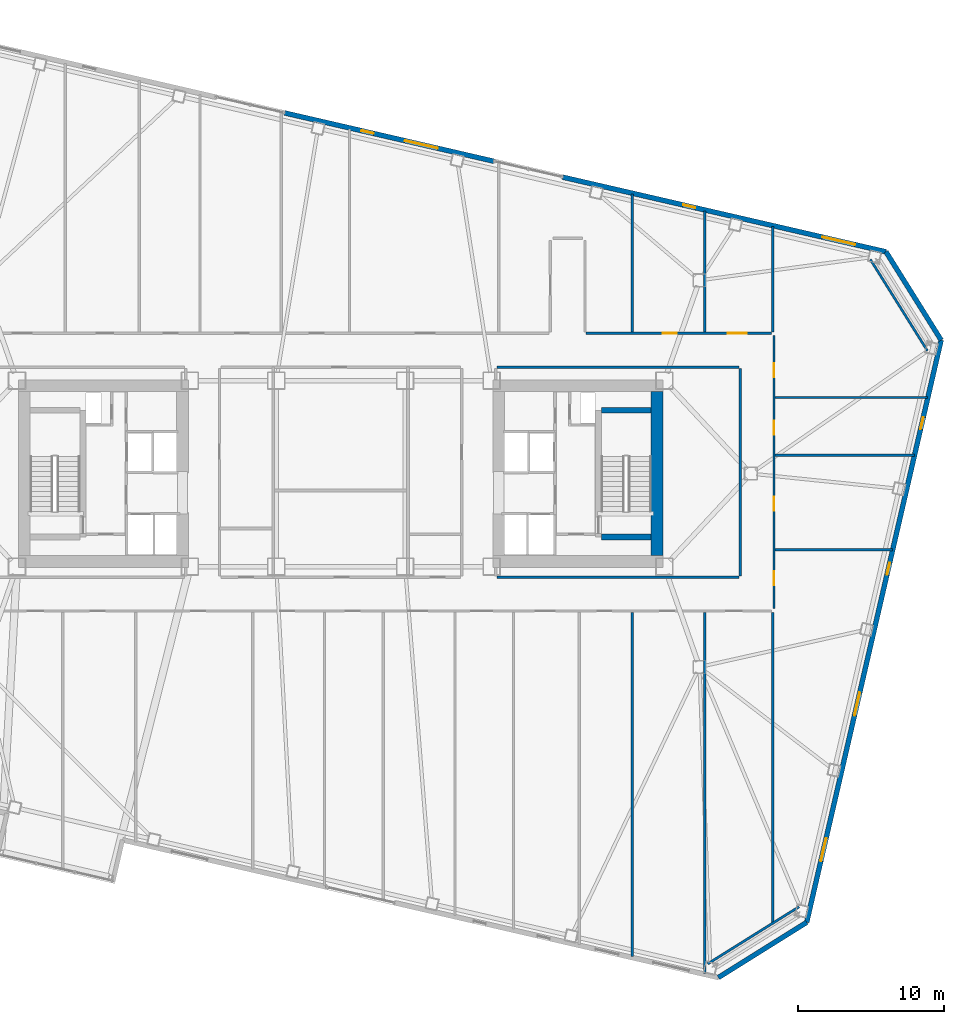
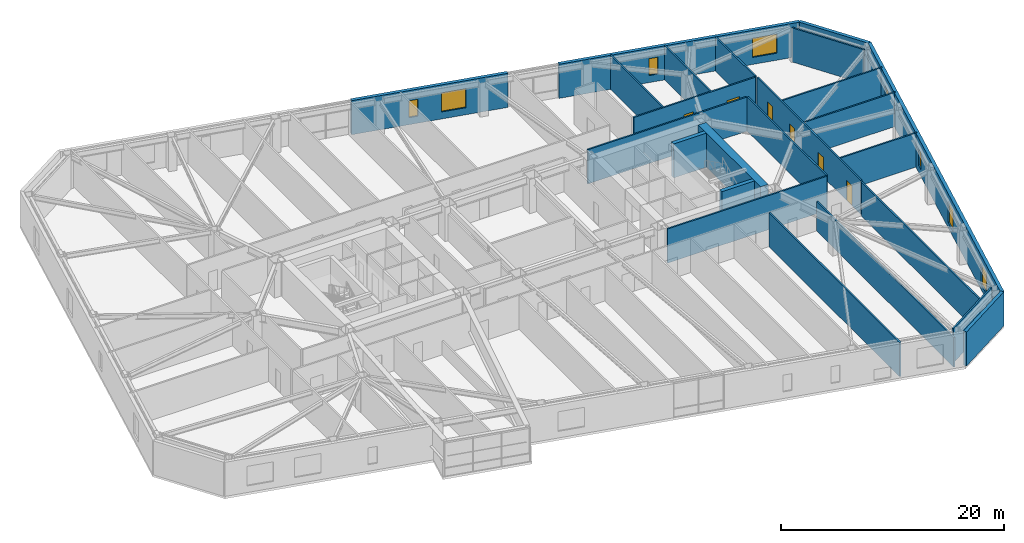
# One storey, part 15 of 21: 24 walls, 8 windows, 6 doors, 14 openings.
"""IFC4 building model written with IfcOpenShell, lengths in metres."""

from ifc_helpers import new_model, si_unit, direction, frame, frame_2d, origin, place, context, subcontext, project, spatial, rectangle, extrude, material, layer, layer_set, type_object, element, fill, save


model = new_model("IFC4")

# Units and contexts
model_context = context("Model", 3, precision=1e-05, world=origin(), true_north=direction((0.0, 1.0)))
body_context = subcontext(model_context, "Body", "Model", "MODEL_VIEW")
ifc_project = project(units=[si_unit("LENGTHUNIT", "METRE"), si_unit("AREAUNIT", "SQUARE_METRE"), si_unit("VOLUMEUNIT", "CUBIC_METRE"), si_unit("PLANEANGLEUNIT", "RADIAN"), si_unit("MASSUNIT", "GRAM", prefix="KILO")], contexts=[model_context])

# Site, building, storey
site_placement = place(None, origin())
site = spatial("IfcSite", under=ifc_project, at=site_placement, CompositionType="ELEMENT")
building_placement = place(site_placement, origin())
building = spatial("IfcBuilding", under=site, at=building_placement, Name="Tavrogorsk Clinical Tower", CompositionType="ELEMENT")
storey_placement = place(building_placement, frame((0.0, 0.0, 43.39990234375)))
storey = spatial("IfcBuildingStorey", under=building, at=storey_placement, Name="L08", CompositionType="ELEMENT", Elevation=43.39990234375)

# Walls
ifc_material_1 = material(Name="Lightweight concrete blockwork B15", Category="masonry")
ifc_layer_1 = layer(ifc_material_1, 0.159912109375)
ifc_layer_set_1 = layer_set([ifc_layer_1], Name="Lightweight concrete blockwork B15")
wall_type_1 = type_object("IfcWallType", Name="PartitionWall_160", PredefinedType="PARTITIONING", material=ifc_layer_set_1)
for number, where, z_axis, x_axis, name in (
    (1, (25.0595703125, -33.46826171875, 0.0), (0.0, 0.0, 1.0), (0.848043064089, 0.529927317139, 0.0), "L08 Corner Exoskeleton Brace Furring Wall 1"),
    (2, (40.059814453125, 8.389404296875, 0.0), (0.0, 0.0, 1.0), (-0.529927317139, 0.848043064089, 0.0), "L08 Corner Exoskeleton Brace Furring Wall 2"),
):
    element("IfcWall", number, at=place(storey_placement, frame(where, z_axis=z_axis, x_axis=x_axis)), inside=storey, type_object=wall_type_1, Name=name, PredefinedType="PARTITIONING", context=body_context, shape_type="SweptSolid", body=[
        extrude(rectangle(XDim=7.353759765625, YDim=0.159912109375, at=frame_2d((3.6767578125, 0.0))), origin(), (0.0, 0.0, 1.0), 3.739990234375),
    ])

# Wall, openings, doors
wall_1_placement = place(storey_placement, frame((16.764892578125, 9.580078125, 0.0), z_axis=(0.0, 0.0, 1.0), x_axis=(1.0, 0.0, 0.0)))
wall_1 = element("IfcWall", 3, at=wall_1_placement, inside=storey, type_object=wall_type_1, Name="L08 Corridor Partition 06", PredefinedType="PARTITIONING", context=body_context, shape_type="SweptSolid", body=[
    extrude(rectangle(XDim=12.650146484375, YDim=0.159912109375, at=frame_2d((6.3251953125, 0.0))), origin(), (0.0, 0.0, 1.0), 3.739990234375),
])
opening_1_placement = place(wall_1_placement, frame((5.219970703125, 0.0, 0.0)))
opening_1 = element("IfcOpeningElement", 4, at=opening_1_placement, cuts=wall_1, Name="Opening ID-02", PredefinedType="OPENING", context=body_context, shape_type="SweptSolid", body=[
    extrude(rectangle(XDim=0.949951171875, YDim=2.199951171875, at=frame_2d((0.47509765625, 1.10009765625))), frame((0.0, 0.08984375, 0.0), z_axis=(0.0, -1.0, 0.0), x_axis=(1.0, 0.0, 0.0)), (0.0, 0.0, 1.0), 0.179931640625),
])
opening_2_placement = place(wall_1_placement, frame((9.65087890625, 0.0, 0.0)))
opening_2 = element("IfcOpeningElement", 5, at=opening_2_placement, cuts=wall_1, Name="Opening ID-01", PredefinedType="OPENING", context=body_context, shape_type="SweptSolid", body=[
    extrude(rectangle(XDim=1.300048828125, YDim=2.199951171875, at=frame_2d((0.64990234375, 1.10009765625))), frame((0.0, 0.08984375, 0.0), z_axis=(0.0, -1.0, 0.0), x_axis=(1.0, 0.0, 0.0)), (0.0, 0.0, 1.0), 0.179931640625),
])
ifc_material_2 = material(Name="Laminated timber leaf on aluminium frame", Category="wood")
door_type_1 = type_object("IfcDoorType", Name="InteriorDoor_ID02_950", OperationType="NOTDEFINED", PredefinedType="DOOR", material=ifc_material_2)
door_1_placement = place(opening_1_placement, origin())
door_1 = element("IfcDoor", 6, at=door_1_placement, inside=storey, type_object=door_type_1, Name="L08 North Multidisciplinary Case Room 07 Door", OperationType="SINGLE_SWING_LEFT", OverallHeight=2.199951171875, OverallWidth=0.949951171875, PredefinedType="DOOR", context=body_context, shape_type="SweptSolid", body=[
    extrude(rectangle(XDim=0.949951171875, YDim=2.199951171875, at=frame_2d((0.47509765625, 1.10009765625))), frame((0.0, 0.02490234375, 0.0), z_axis=(0.0, -1.0, 0.0), x_axis=(1.0, 0.0, 0.0)), (0.0, 0.0, 1.0), 0.050048828125),
])
fill(opening_1, door_1)
ifc_material_3 = material(Name="Antibacterial HPL medical leaf on aluminium frame", Category="aluminium")
door_type_2 = type_object("IfcDoorType", Name="WardBedDoor_ID01_1300", OperationType="NOTDEFINED", PredefinedType="DOOR", material=ifc_material_3)
door_2_placement = place(opening_2_placement, origin())
door_2 = element("IfcDoor", 7, at=door_2_placement, inside=storey, type_object=door_type_2, Name="L08 North Inpatient Clinical Ward 08 Door", OperationType="SINGLE_SWING_RIGHT", OverallHeight=2.199951171875, OverallWidth=1.300048828125, PredefinedType="DOOR", context=body_context, shape_type="SweptSolid", body=[
    extrude(rectangle(XDim=1.300048828125, YDim=2.199951171875, at=frame_2d((0.64990234375, 1.10009765625))), frame((0.0, 0.02490234375, 0.0), z_axis=(0.0, -1.0, 0.0), x_axis=(1.0, 0.0, 0.0)), (0.0, 0.0, 1.0), 0.050048828125),
])
fill(opening_2, door_2)

wall_2_placement = place(storey_placement, frame((29.580078125, 9.4150390625, 0.0), z_axis=(0.0, 0.0, 1.0), x_axis=(0.0, -1.0, 0.0)))
wall_2 = element("IfcWall", 8, at=wall_2_placement, inside=storey, type_object=wall_type_1, Name="L08 Corridor Partition 07", PredefinedType="PARTITIONING", context=body_context, shape_type="SweptSolid", body=[
    extrude(rectangle(XDim=18.630126953125, YDim=0.159912109375, at=frame_2d((9.31494140625, 0.0))), origin(), (0.0, 0.0, 1.0), 3.739990234375),
])
opening_3_placement = place(wall_2_placement, frame((16.080810546875, 0.0, 0.0)))
opening_3 = element("IfcOpeningElement", 9, at=opening_3_placement, cuts=wall_2, Name="Opening ID-02", PredefinedType="OPENING", context=body_context, shape_type="SweptSolid", body=[
    extrude(rectangle(XDim=0.949951171875, YDim=2.199951171875, at=frame_2d((0.47509765625, 1.10009765625))), frame((0.0, 0.08984375, 0.0), z_axis=(0.0, -1.0, 0.0), x_axis=(1.0, 0.0, 0.0)), (0.0, 0.0, 1.0), 0.179931640625),
])
opening_4_placement = place(wall_2_placement, frame((11.0, 0.0, 0.0)))
opening_4 = element("IfcOpeningElement", 10, at=opening_4_placement, cuts=wall_2, Name="Opening ID-02", PredefinedType="OPENING", context=body_context, shape_type="SweptSolid", body=[
    extrude(rectangle(XDim=0.949951171875, YDim=2.199951171875, at=frame_2d((0.47509765625, 1.10009765625))), frame((0.0, 0.08984375, 0.0), z_axis=(0.0, -1.0, 0.0), x_axis=(1.0, 0.0, 0.0)), (0.0, 0.0, 1.0), 0.179931640625),
])
opening_5_placement = place(wall_2_placement, frame((5.800048828125, 0.0, 0.0)))
opening_5 = element("IfcOpeningElement", 11, at=opening_5_placement, cuts=wall_2, Name="Opening ID-02", PredefinedType="OPENING", context=body_context, shape_type="SweptSolid", body=[
    extrude(rectangle(XDim=0.949951171875, YDim=2.199951171875, at=frame_2d((0.47509765625, 1.10009765625))), frame((0.0, 0.08984375, 0.0), z_axis=(0.0, -1.0, 0.0), x_axis=(1.0, 0.0, 0.0)), (0.0, 0.0, 1.0), 0.179931640625),
])
opening_6_placement = place(wall_2_placement, frame((1.869140625, 0.0, 0.0)))
opening_6 = element("IfcOpeningElement", 12, at=opening_6_placement, cuts=wall_2, Name="Opening ID-02", PredefinedType="OPENING", context=body_context, shape_type="SweptSolid", body=[
    extrude(rectangle(XDim=0.949951171875, YDim=2.199951171875, at=frame_2d((0.47509765625, 1.10009765625))), frame((0.0, 0.08984375, 0.0), z_axis=(0.0, -1.0, 0.0), x_axis=(1.0, 0.0, 0.0)), (0.0, 0.0, 1.0), 0.179931640625),
])
door_3_placement = place(opening_3_placement, origin())
door_3 = element("IfcDoor", 13, at=door_3_placement, inside=storey, type_object=door_type_1, Name="L08 E Senior Clinician Suite 1 Door", OperationType="SINGLE_SWING_LEFT", OverallHeight=2.199951171875, OverallWidth=0.949951171875, PredefinedType="DOOR", context=body_context, shape_type="SweptSolid", body=[
    extrude(rectangle(XDim=0.949951171875, YDim=2.199951171875, at=frame_2d((0.47509765625, 1.10009765625))), frame((0.0, 0.02490234375, 0.0), z_axis=(0.0, -1.0, 0.0), x_axis=(1.0, 0.0, 0.0)), (0.0, 0.0, 1.0), 0.050048828125),
])
fill(opening_3, door_3)
door_4_placement = place(opening_4_placement, origin())
door_4 = element("IfcDoor", 14, at=door_4_placement, inside=storey, type_object=door_type_1, Name="L08 E Multidisciplinary Seminar Suite 2 Door", OperationType="SINGLE_SWING_RIGHT", OverallHeight=2.199951171875, OverallWidth=0.949951171875, PredefinedType="DOOR", context=body_context, shape_type="SweptSolid", body=[
    extrude(rectangle(XDim=0.949951171875, YDim=2.199951171875, at=frame_2d((0.47509765625, 1.10009765625))), frame((0.0, 0.02490234375, 0.0), z_axis=(0.0, -1.0, 0.0), x_axis=(1.0, 0.0, 0.0)), (0.0, 0.0, 1.0), 0.050048828125),
])
fill(opening_4, door_4)
door_5_placement = place(opening_5_placement, origin())
door_5 = element("IfcDoor", 15, at=door_5_placement, inside=storey, type_object=door_type_1, Name="L08 E Specialist Consultation Room 3 Door", OperationType="SINGLE_SWING_LEFT", OverallHeight=2.199951171875, OverallWidth=0.949951171875, PredefinedType="DOOR", context=body_context, shape_type="SweptSolid", body=[
    extrude(rectangle(XDim=0.949951171875, YDim=2.199951171875, at=frame_2d((0.47509765625, 1.10009765625))), frame((0.0, 0.02490234375, 0.0), z_axis=(0.0, -1.0, 0.0), x_axis=(1.0, 0.0, 0.0)), (0.0, 0.0, 1.0), 0.050048828125),
])
fill(opening_5, door_5)
door_6_placement = place(opening_6_placement, origin())
door_6 = element("IfcDoor", 16, at=door_6_placement, inside=storey, type_object=door_type_1, Name="L08 E Clinical Fellows' Study 4 Door", OperationType="SINGLE_SWING_RIGHT", OverallHeight=2.199951171875, OverallWidth=0.949951171875, PredefinedType="DOOR", context=body_context, shape_type="SweptSolid", body=[
    extrude(rectangle(XDim=0.949951171875, YDim=2.199951171875, at=frame_2d((0.47509765625, 1.10009765625))), frame((0.0, 0.02490234375, 0.0), z_axis=(0.0, -1.0, 0.0), x_axis=(1.0, 0.0, 0.0)), (0.0, 0.0, 1.0), 0.050048828125),
])
fill(opening_6, door_6)

# Walls
for number, where, z_axis, x_axis, name in (
    (17, (27.18505859375, 7.27001953125, 0.0), (0.0, 0.0, 1.0), (-1.0, 0.0, 0.0), "L08 Corridor Partition 09"),
    (18, (10.6650390625, -7.070068359375, 0.0), (0.0, 0.0, 1.0), (1.0, 0.0, 0.0), "L08 Corridor Partition 12"),
):
    element("IfcWall", number, at=place(storey_placement, frame(where, z_axis=z_axis, x_axis=x_axis)), inside=storey, type_object=wall_type_1, Name=name, PredefinedType="PARTITIONING", context=body_context, shape_type="SweptSolid", body=[
        extrude(rectangle(XDim=16.52001953125, YDim=0.159912109375, at=frame_2d((8.260009765625, 0.0))), origin(), (0.0, 0.0, 1.0), 3.739990234375),
    ])
wall_3_placement = place(storey_placement, frame((27.27001953125, -6.985107421875, 0.0), z_axis=(0.0, 0.0, 1.0), x_axis=(0.0, 1.0, 0.0)))
element("IfcWall", 19, at=wall_3_placement, inside=storey, type_object=wall_type_1, Name="L08 Corridor Partition 13", PredefinedType="PARTITIONING", context=body_context, shape_type="SweptSolid", body=[
    extrude(rectangle(XDim=14.170166015625, YDim=0.159912109375, at=frame_2d((7.0849609375, 0.0))), origin(), (0.0, 0.0, 1.0), 3.739990234375),
])
wall_4_placement = place(storey_placement, frame((29.5, 9.6650390625, 0.0), z_axis=(0.0, 0.0, 1.0), x_axis=(0.0, 1.0, 0.0)))
element("IfcWall", 20, at=wall_4_placement, inside=storey, type_object=wall_type_1, Name="L08 NE Wing Closure Partition", PredefinedType="PARTITIONING", context=body_context, shape_type="SweptSolid", body=[
    extrude(rectangle(XDim=7.197265625, YDim=0.159912109375, at=frame_2d((3.5986328125, 0.0))), origin(), (0.0, 0.0, 1.0), 3.739990234375),
])
wall_5_placement = place(storey_placement, frame((29.5, -30.702880859375, 0.0), z_axis=(0.0, 0.0, 1.0), x_axis=(0.0, 1.0, 0.0)))
element("IfcWall", 21, at=wall_5_placement, inside=storey, type_object=wall_type_1, Name="L08 SE Wing Closure Partition", PredefinedType="PARTITIONING", context=body_context, shape_type="SweptSolid", body=[
    extrude(rectangle(XDim=21.23779296875, YDim=0.159912109375, at=frame_2d((10.618896484375, 0.0))), origin(), (0.0, 0.0, 1.0), 3.739990234375),
])
wall_6_placement = place(storey_placement, frame((19.89990234375, 9.6650390625, 0.0), z_axis=(0.0, 0.0, 1.0), x_axis=(0.0, 1.0, 0.0)))
element("IfcWall", 22, at=wall_6_placement, inside=storey, type_object=wall_type_1, Name="L08 North Room Partition 6", PredefinedType="PARTITIONING", context=body_context, shape_type="SweptSolid", body=[
    extrude(rectangle(XDim=9.41357421875, YDim=0.159912109375, at=frame_2d((4.706787109375, 0.0))), origin(), (0.0, 0.0, 1.0), 3.739990234375),
])
wall_7_placement = place(storey_placement, frame((24.85009765625, 9.6650390625, 0.0), z_axis=(0.0, 0.0, 1.0), x_axis=(0.0, 1.0, 0.0)))
element("IfcWall", 23, at=wall_7_placement, inside=storey, type_object=wall_type_1, Name="L08 North Room Partition 7", PredefinedType="PARTITIONING", context=body_context, shape_type="SweptSolid", body=[
    extrude(rectangle(XDim=8.270751953125, YDim=0.159912109375, at=frame_2d((4.13525390625, 0.0))), origin(), (0.0, 0.0, 1.0), 3.739990234375),
])
wall_8_placement = place(storey_placement, frame((19.89990234375, -32.975341796875, 0.0), z_axis=(0.0, 0.0, 1.0), x_axis=(0.0, 1.0, 0.0)))
element("IfcWall", 24, at=wall_8_placement, inside=storey, type_object=wall_type_1, Name="L08 South Room Partition 6", PredefinedType="PARTITIONING", context=body_context, shape_type="SweptSolid", body=[
    extrude(rectangle(XDim=23.51025390625, YDim=0.159912109375, at=frame_2d((11.755126953125, 0.0))), origin(), (0.0, 0.0, 1.0), 3.739990234375),
])
wall_9_placement = place(storey_placement, frame((24.85009765625, -34.1181640625, 0.0), z_axis=(0.0, 0.0, 1.0), x_axis=(0.0, 1.0, 0.0)))
element("IfcWall", 25, at=wall_9_placement, inside=storey, type_object=wall_type_1, Name="L08 South Room Partition 7", PredefinedType="PARTITIONING", context=body_context, shape_type="SweptSolid", body=[
    extrude(rectangle(XDim=24.653076171875, YDim=0.159912109375, at=frame_2d((12.32666015625, 0.0))), origin(), (0.0, 0.0, 1.0), 3.235107421875),
])
wall_10_placement = place(storey_placement, frame((29.6650390625, -5.199951171875, 0.0), z_axis=(0.0, 0.0, 1.0), x_axis=(1.0, 0.0, 0.0)))
element("IfcWall", 26, at=wall_10_placement, inside=storey, type_object=wall_type_1, Name="L08 E Wing Divider 1", PredefinedType="PARTITIONING", context=body_context, shape_type="SweptSolid", body=[
    extrude(rectangle(XDim=8.007080078125, YDim=0.159912109375, at=frame_2d((4.00341796875, 0.0))), origin(), (0.0, 0.0, 1.0), 3.739990234375),
])
wall_11_placement = place(storey_placement, frame((29.6650390625, 1.25, 0.0), z_axis=(0.0, 0.0, 1.0), x_axis=(1.0, 0.0, 0.0)))
element("IfcWall", 27, at=wall_11_placement, inside=storey, type_object=wall_type_1, Name="L08 E Wing Divider 2", PredefinedType="PARTITIONING", context=body_context, shape_type="SweptSolid", body=[
    extrude(rectangle(XDim=9.496337890625, YDim=0.159912109375, at=frame_2d((4.748046875, 0.0))), origin(), (0.0, 0.0, 1.0), 3.739990234375),
])
wall_12_placement = place(storey_placement, frame((29.6650390625, 5.199951171875, 0.0), z_axis=(0.0, 0.0, 1.0), x_axis=(1.0, 0.0, 0.0)))
element("IfcWall", 28, at=wall_12_placement, inside=storey, type_object=wall_type_1, Name="L08 E Wing Divider 3", PredefinedType="PARTITIONING", context=body_context, shape_type="SweptSolid", body=[
    extrude(rectangle(XDim=10.408203125, YDim=0.159912109375, at=frame_2d((5.2041015625, 0.0))), origin(), (0.0, 0.0, 1.0), 3.739990234375),
])

# Wall, openings, windows
ifc_material_4 = material(Name="Precast concrete B45 with limestone cladding", Category="masonry")
ifc_layer_2 = layer(ifc_material_4, 0.340087890625)
ifc_layer_set_2 = layer_set([ifc_layer_2], Name="Precast concrete B45 with limestone cladding")
wall_type_2 = type_object("IfcWallType", Name="PrecastLimestoneWall_340", PredefinedType="STANDARD", material=ifc_layer_set_2)
wall_13_placement = place(storey_placement, frame((37.228515625, 15.14990234375, 0.0), z_axis=(0.0, 0.0, 1.0), x_axis=(-0.97436993772, 0.224951604723, 0.0)))
wall_13 = element("IfcWall", 29, at=wall_13_placement, inside=storey, type_object=wall_type_2, Name="L08 N Limestone Facade Wall 1", PredefinedType="STANDARD", context=body_context, shape_type="SweptSolid", body=[
    extrude(rectangle(XDim=22.6513671875, YDim=0.340087890625, at=frame_2d((11.32568359375, 0.0))), origin(), (0.0, 0.0, 1.0), 3.739990234375),
])
opening_7_placement = place(wall_13_placement, frame((13.360595703125, 0.0, 0.77001953125)))
opening_7 = element("IfcOpeningElement", 30, at=opening_7_placement, cuts=wall_13, Name="Opening WN-06", PredefinedType="OPENING", context=body_context, shape_type="SweptSolid", body=[
    extrude(rectangle(XDim=0.85009765625, YDim=1.85009765625, at=frame_2d((0.425048828125, 0.925048828125))), frame((0.0, 0.179931640625, 0.0), z_axis=(0.0, -1.0, 0.0), x_axis=(1.0, 0.0, 0.0)), (0.0, 0.0, 1.0), 0.360107421875),
])
opening_8_placement = place(wall_13_placement, frame((2.162109375, 0.0, 0.77001953125)))
opening_8 = element("IfcOpeningElement", 31, at=opening_8_placement, cuts=wall_13, Name="Opening WN-12", PredefinedType="OPENING", context=body_context, shape_type="SweptSolid", body=[
    extrude(rectangle(XDim=2.300048828125, YDim=2.10009765625, at=frame_2d((1.14990234375, 1.050048828125))), frame((0.0, 0.179931640625, 0.0), z_axis=(0.0, -1.0, 0.0), x_axis=(1.0, 0.0, 0.0)), (0.0, 0.0, 1.0), 0.360107421875),
])
ifc_material_5 = material(Name="Thermally broken aluminium frame and triple IGU", Category="aluminium")
window_type_1 = type_object("IfcWindowType", Name="MullionSubWin_850x1850", PartitioningType="SINGLE_PANEL", PredefinedType="WINDOW", material=ifc_material_5)
window_1_placement = place(opening_7_placement, origin())
window_1 = element("IfcWindow", 32, at=window_1_placement, inside=storey, type_object=window_type_1, Name="L08 N Mullion Split Window 08B", OverallHeight=1.85009765625, OverallWidth=0.85009765625, PartitioningType="SINGLE_PANEL", PredefinedType="WINDOW", context=body_context, shape_type="SweptSolid", body=[
    extrude(rectangle(XDim=0.85009765625, YDim=1.85009765625, at=frame_2d((0.425048828125, 0.925048828125))), frame((0.0, 0.030029296875, 0.0), z_axis=(0.0, -1.0, 0.0), x_axis=(1.0, 0.0, 0.0)), (0.0, 0.0, 1.0), 0.06005859375),
])
fill(opening_7, window_1)
ifc_material_6 = material(Name="Thermally broken aluminium frame and triple IGU", Category="aluminium")
window_type_2 = type_object("IfcWindowType", Name="RecoveryWin_2300x2100", PartitioningType="DOUBLE_PANEL_VERTICAL", PredefinedType="WINDOW", material=ifc_material_6)
window_2_placement = place(opening_8_placement, origin())
window_2 = element("IfcWindow", 33, at=window_2_placement, inside=storey, type_object=window_type_2, Name="L08 N Chicago Window 10", OverallHeight=2.10009765625, OverallWidth=2.300048828125, PartitioningType="SINGLE_PANEL", PredefinedType="WINDOW", context=body_context, shape_type="SweptSolid", body=[
    extrude(rectangle(XDim=2.300048828125, YDim=2.10009765625, at=frame_2d((1.14990234375, 1.050048828125))), frame((0.0, 0.030029296875, 0.0), z_axis=(0.0, -1.0, 0.0), x_axis=(1.0, 0.0, 0.0)), (0.0, 0.0, 1.0), 0.06005859375),
])
fill(opening_8, window_2)

wall_14_placement = place(storey_placement, frame((10.480712890625, 21.3251953125, 0.0), z_axis=(0.0, 0.0, 1.0), x_axis=(-0.974369353393, 0.2249541357, 0.0)))
wall_14 = element("IfcWall", 34, at=wall_14_placement, inside=storey, type_object=wall_type_2, Name="L08 N Limestone Facade Wall 2", PredefinedType="STANDARD", context=body_context, shape_type="SweptSolid", body=[
    extrude(rectangle(XDim=14.697021484375, YDim=0.340087890625, at=frame_2d((7.3486328125, 0.0))), origin(), (0.0, 0.0, 1.0), 3.739990234375),
])
opening_9_placement = place(wall_14_placement, frame((8.44091796875, 0.0, 0.77001953125)))
opening_9 = element("IfcOpeningElement", 35, at=opening_9_placement, cuts=wall_14, Name="Opening WN-06", PredefinedType="OPENING", context=body_context, shape_type="SweptSolid", body=[
    extrude(rectangle(XDim=0.85009765625, YDim=1.85009765625, at=frame_2d((0.425048828125, 0.925048828125))), frame((0.0, 0.179931640625, 0.0), z_axis=(0.0, -1.0, 0.0), x_axis=(1.0, 0.0, 0.0)), (0.0, 0.0, 1.0), 0.360107421875),
])
opening_10_placement = place(wall_14_placement, frame((3.956298828125, 0.0, 0.77001953125)))
opening_10 = element("IfcOpeningElement", 36, at=opening_10_placement, cuts=wall_14, Name="Opening WN-12", PredefinedType="OPENING", context=body_context, shape_type="SweptSolid", body=[
    extrude(rectangle(XDim=2.300048828125, YDim=2.10009765625, at=frame_2d((1.14990234375, 1.050048828125))), frame((0.0, 0.179931640625, 0.0), z_axis=(0.0, -1.0, 0.0), x_axis=(1.0, 0.0, 0.0)), (0.0, 0.0, 1.0), 0.360107421875),
])
window_3_placement = place(opening_9_placement, origin())
window_3 = element("IfcWindow", 37, at=window_3_placement, inside=storey, type_object=window_type_1, Name="L08 N Mullion Split Window 05A", OverallHeight=1.85009765625, OverallWidth=0.85009765625, PartitioningType="SINGLE_PANEL", PredefinedType="WINDOW", context=body_context, shape_type="SweptSolid", body=[
    extrude(rectangle(XDim=0.85009765625, YDim=1.85009765625, at=frame_2d((0.425048828125, 0.925048828125))), frame((0.0, 0.030029296875, 0.0), z_axis=(0.0, -1.0, 0.0), x_axis=(1.0, 0.0, 0.0)), (0.0, 0.0, 1.0), 0.06005859375),
])
fill(opening_9, window_3)
window_4_placement = place(opening_10_placement, origin())
window_4 = element("IfcWindow", 38, at=window_4_placement, inside=storey, type_object=window_type_2, Name="L08 N Chicago Window 06", OverallHeight=2.10009765625, OverallWidth=2.300048828125, PartitioningType="SINGLE_PANEL", PredefinedType="WINDOW", context=body_context, shape_type="SweptSolid", body=[
    extrude(rectangle(XDim=2.300048828125, YDim=2.10009765625, at=frame_2d((1.14990234375, 1.050048828125))), frame((0.0, 0.030029296875, 0.0), z_axis=(0.0, -1.0, 0.0), x_axis=(1.0, 0.0, 0.0)), (0.0, 0.0, 1.0), 0.06005859375),
])
fill(opening_10, window_4)

wall_15_placement = place(storey_placement, frame((31.820068359375, -30.636962890625, 0.0), z_axis=(0.0, 0.0, 1.0), x_axis=(0.224949969076, 0.974370315338, 0.0)))
wall_15 = element("IfcWall", 39, at=wall_15_placement, inside=storey, type_object=wall_type_2, Name="L08 E Pleated Limestone Wing Wall", PredefinedType="STANDARD", context=body_context, shape_type="SweptSolid", body=[
    extrude(rectangle(XDim=40.800048828125, YDim=0.340087890625, at=frame_2d((20.39990234375, 0.0))), origin(), (0.0, 0.0, 1.0), 3.739990234375),
])
opening_11_placement = place(wall_15_placement, frame((4.300048828125, 0.0, 0.580078125)))
opening_11 = element("IfcOpeningElement", 40, at=opening_11_placement, cuts=wall_15, Name="Opening WN-07", PredefinedType="OPENING", context=body_context, shape_type="SweptSolid", body=[
    extrude(rectangle(XDim=1.60009765625, YDim=2.300048828125, at=frame_2d((0.800048828125, 1.14990234375))), frame((0.0, 0.179931640625, 0.0), z_axis=(0.0, -1.0, 0.0), x_axis=(1.0, 0.0, 0.0)), (0.0, 0.0, 1.0), 0.360107421875),
])
opening_12_placement = place(wall_15_placement, frame((14.5, 0.0, 0.580078125)))
opening_12 = element("IfcOpeningElement", 41, at=opening_12_placement, cuts=wall_15, Name="Opening WN-07", PredefinedType="OPENING", context=body_context, shape_type="SweptSolid", body=[
    extrude(rectangle(XDim=1.60009765625, YDim=2.300048828125, at=frame_2d((0.800048828125, 1.14990234375))), frame((0.0, 0.179931640625, 0.0), z_axis=(0.0, -1.0, 0.0), x_axis=(1.0, 0.0, 0.0)), (0.0, 0.0, 1.0), 0.360107421875),
])
opening_13_placement = place(wall_15_placement, frame((24.35009765625, 0.0, 0.75)))
opening_13 = element("IfcOpeningElement", 42, at=opening_13_placement, cuts=wall_15, Name="Opening WN-06", PredefinedType="OPENING", context=body_context, shape_type="SweptSolid", body=[
    extrude(rectangle(XDim=0.85009765625, YDim=1.85009765625, at=frame_2d((0.425048828125, 0.925048828125))), frame((0.0, 0.179931640625, 0.0), z_axis=(0.0, -1.0, 0.0), x_axis=(1.0, 0.0, 0.0)), (0.0, 0.0, 1.0), 0.360107421875),
])
opening_14_placement = place(wall_15_placement, frame((34.550048828125, 0.0, 0.75)))
opening_14 = element("IfcOpeningElement", 43, at=opening_14_placement, cuts=wall_15, Name="Opening WN-06", PredefinedType="OPENING", context=body_context, shape_type="SweptSolid", body=[
    extrude(rectangle(XDim=0.85009765625, YDim=1.85009765625, at=frame_2d((0.425048828125, 0.925048828125))), frame((0.0, 0.179931640625, 0.0), z_axis=(0.0, -1.0, 0.0), x_axis=(1.0, 0.0, 0.0)), (0.0, 0.0, 1.0), 0.360107421875),
])
window_5_placement = place(opening_13_placement, origin())
window_5 = element("IfcWindow", 44, at=window_5_placement, inside=storey, type_object=window_type_1, Name="L08 E Pleat Mullion Window 3A", OverallHeight=1.85009765625, OverallWidth=0.85009765625, PartitioningType="SINGLE_PANEL", PredefinedType="WINDOW", context=body_context, shape_type="SweptSolid", body=[
    extrude(rectangle(XDim=0.85009765625, YDim=1.85009765625, at=frame_2d((0.425048828125, 0.925048828125))), frame((0.0, 0.030029296875, 0.0), z_axis=(0.0, -1.0, 0.0), x_axis=(1.0, 0.0, 0.0)), (0.0, 0.0, 1.0), 0.06005859375),
])
fill(opening_13, window_5)
window_6_placement = place(opening_14_placement, origin())
window_6 = element("IfcWindow", 45, at=window_6_placement, inside=storey, type_object=window_type_1, Name="L08 E Pleat Mullion Window 4A", OverallHeight=1.85009765625, OverallWidth=0.85009765625, PartitioningType="SINGLE_PANEL", PredefinedType="WINDOW", context=body_context, shape_type="SweptSolid", body=[
    extrude(rectangle(XDim=0.85009765625, YDim=1.85009765625, at=frame_2d((0.425048828125, 0.925048828125))), frame((0.0, 0.030029296875, 0.0), z_axis=(0.0, -1.0, 0.0), x_axis=(1.0, 0.0, 0.0)), (0.0, 0.0, 1.0), 0.06005859375),
])
fill(opening_14, window_6)
ifc_material_7 = material(Name="Thermally broken aluminium frame and triple IGU", Category="aluminium")
window_type_3 = type_object("IfcWindowType", Name="PleatSlotWin_1600x2300", PartitioningType="SINGLE_PANEL", PredefinedType="WINDOW", material=ifc_material_7)
window_7_placement = place(opening_11_placement, origin())
window_7 = element("IfcWindow", 46, at=window_7_placement, inside=storey, type_object=window_type_3, Name="L08 E Pleat Slot Window 1", OverallHeight=2.300048828125, OverallWidth=1.60009765625, PartitioningType="SINGLE_PANEL", PredefinedType="WINDOW", context=body_context, shape_type="SweptSolid", body=[
    extrude(rectangle(XDim=1.60009765625, YDim=2.300048828125, at=frame_2d((0.800048828125, 1.14990234375))), frame((0.0, 0.030029296875, 0.0), z_axis=(0.0, -1.0, 0.0), x_axis=(1.0, 0.0, 0.0)), (0.0, 0.0, 1.0), 0.06005859375),
])
fill(opening_11, window_7)
window_8_placement = place(opening_12_placement, origin())
window_8 = element("IfcWindow", 47, at=window_8_placement, inside=storey, type_object=window_type_3, Name="L08 E Pleat Slot Window 2", OverallHeight=2.300048828125, OverallWidth=1.60009765625, PartitioningType="SINGLE_PANEL", PredefinedType="WINDOW", context=body_context, shape_type="SweptSolid", body=[
    extrude(rectangle(XDim=1.60009765625, YDim=2.300048828125, at=frame_2d((0.800048828125, 1.14990234375))), frame((0.0, 0.030029296875, 0.0), z_axis=(0.0, -1.0, 0.0), x_axis=(1.0, 0.0, 0.0)), (0.0, 0.0, 1.0), 0.06005859375),
])
fill(opening_12, window_8)

# Walls
for number, where, z_axis, x_axis, name in (
    (48, (25.78759765625, -34.406494140625, 0.0), (0.0, 0.0, 1.0), (0.848046504656, 0.529921811158, 0.0), "L08 Chamfered Corner Wall 1"),
    (49, (40.998046875, 9.117431640625, 0.0), (0.0, 0.0, 1.0), (-0.529921811158, 0.848046504656, 0.0), "L08 Chamfered Corner Wall 2"),
):
    element("IfcWall", number, at=place(storey_placement, frame(where, z_axis=z_axis, x_axis=x_axis)), inside=storey, type_object=wall_type_2, Name=name, PredefinedType="STANDARD", context=body_context, shape_type="SweptSolid", body=[
        extrude(rectangle(XDim=7.11328125, YDim=0.340087890625, at=frame_2d((3.556640625, 0.0))), origin(), (0.0, 0.0, 1.0), 3.739990234375),
    ])
ifc_material_8 = material(Name="Concrete B80", Category="concrete")
ifc_layer_3 = layer(ifc_material_8, 0.39990234375)
ifc_layer_set_3 = layer_set([ifc_layer_3], Name="Concrete B80")
wall_type_3 = type_object("IfcWallType", Name="ShearWall_400", PredefinedType="SHEAR", material=ifc_layer_set_3)
for number, where, z_axis, x_axis, name in (
    (50, (17.800048828125, -4.324951171875, 0.0), (0.0, 0.0, 1.0), (1.0, 0.0, 0.0), "L08 Core East Stair Shaft South Shear Wall"),
    (51, (17.800048828125, 4.324951171875, 0.0), (0.0, 0.0, 1.0), (1.0, 0.0, 0.0), "L08 Core East Stair Shaft North Shear Wall"),
):
    element("IfcWall", number, at=place(storey_placement, frame(where, z_axis=z_axis, x_axis=x_axis)), inside=storey, type_object=wall_type_3, Name=name, PredefinedType="SHEAR", context=body_context, shape_type="SweptSolid", body=[
        extrude(rectangle(XDim=3.39990234375, YDim=0.39990234375, at=frame_2d((1.699951171875, 0.0))), origin(), (0.0, 0.0, 1.0), 3.739990234375),
    ])
ifc_material_9 = material(Name="Concrete B80", Category="concrete")
ifc_layer_4 = layer(ifc_material_9, 0.800048828125)
ifc_layer_set_4 = layer_set([ifc_layer_4], Name="Concrete B80")
wall_type_4 = type_object("IfcWallType", Name="ShearWall_800", PredefinedType="SHEAR", material=ifc_layer_set_4)
wall_16_placement = place(storey_placement, frame((21.60009765625, -5.60009765625, 0.0), z_axis=(0.0, 0.0, 1.0), x_axis=(0.0, 1.0, 0.0)))
element("IfcWall", 52, at=wall_16_placement, inside=storey, type_object=wall_type_4, Name="L08 Core East End Shear Wall", PredefinedType="SHEAR", context=body_context, shape_type="SweptSolid", body=[
    extrude(rectangle(XDim=11.2001953125, YDim=0.800048828125, at=frame_2d((5.60009765625, 0.0))), origin(), (0.0, 0.0, 1.0), 3.739990234375),
])

save(model, "model.ifc")
